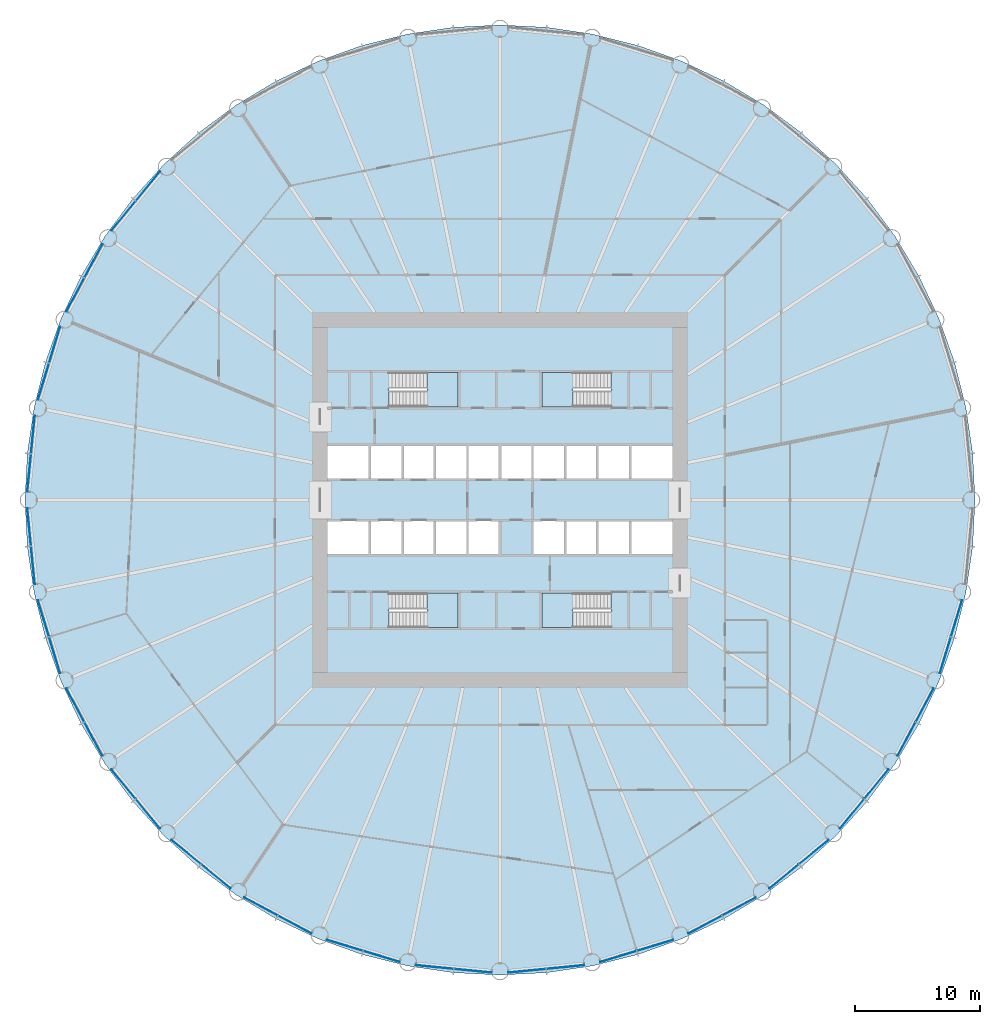
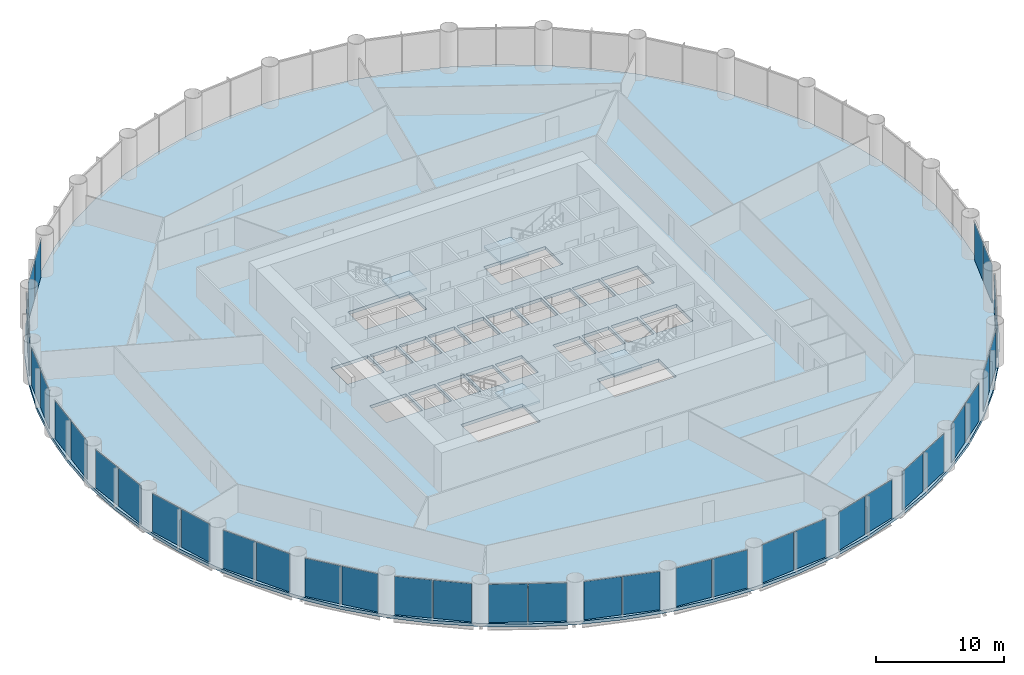
# One storey, part 8 of 15: 38 plates, 5 slabs, 23 elements without a shape of their own.
"""IFC4 building model written with IfcOpenShell, lengths in metres."""

from ifc_helpers import new_model, si_unit, direction, frame, origin, origin_2d, place, context, subcontext, project, spatial, polyline, rectangle, outline, extrude, material, layer, layer_set, type_object, element, aggregate, save


model = new_model("IFC4")

# Units and contexts
model_context = context("Model", 3, precision=1e-05, world=origin(), true_north=direction((0.0, 1.0)))
body_context = subcontext(model_context, "Body", "Model", "MODEL_VIEW")
ifc_project = project(units=[si_unit("LENGTHUNIT", "METRE"), si_unit("AREAUNIT", "SQUARE_METRE"), si_unit("VOLUMEUNIT", "CUBIC_METRE"), si_unit("PLANEANGLEUNIT", "RADIAN"), si_unit("MASSUNIT", "GRAM", prefix="KILO")], contexts=[model_context])

# Site, building, storey
site_placement = place(None, origin())
site = spatial("IfcSite", under=ifc_project, at=site_placement, CompositionType="ELEMENT")
building_placement = place(site_placement, origin())
building = spatial("IfcBuilding", under=site, at=building_placement, Name="Corvane Civic Tower", CompositionType="ELEMENT")
storey_placement = place(building_placement, frame((0.0, 0.0, 73.0)))
storey = spatial("IfcBuildingStorey", under=building, at=storey_placement, Name="L16", CompositionType="ELEMENT", Elevation=73.0)

# Slab
ifc_material_1 = material(Name="Concrete C40/50", Category="concrete")
ifc_layer_1 = layer(ifc_material_1, 0.300048828125)
ifc_layer_set_1 = layer_set([ifc_layer_1], Name="Concrete C40/50")
slab_type_1 = type_object("IfcSlabType", Name="FLOOR SLAB 300", PredefinedType="FLOOR", material=ifc_layer_set_1)
slab_1_placement = place(storey_placement, frame((0.0, 0.0, -0.300048828125)))
element("IfcSlab", 1, at=slab_1_placement, inside=storey, type_object=slab_type_1, Name="SLB-L16", PredefinedType="FLOOR", context=body_context, shape_type="SweptSolid", body=[
    extrude(outline(polyline([(0.0, 38.0), (-3.724609375, 37.817138671875), (-7.413330078125, 37.269775390625), (-11.03076171875, 36.36376953125), (-14.5419921875, 35.107421875), (-17.9130859375, 33.512939453125), (-21.111572265625, 31.595947265625), (-24.10693359375, 29.37451171875), (-26.8701171875, 26.8701171875), (-29.37451171875, 24.10693359375), (-31.595947265625, 21.111572265625), (-33.512939453125, 17.9130859375), (-35.107421875, 14.5419921875), (-36.36376953125, 11.03076171875), (-37.269775390625, 7.413330078125), (-37.817138671875, 3.724609375), (-38.0, 0.0), (-37.817138671875, -3.724609375), (-37.269775390625, -7.413330078125), (-36.36376953125, -11.03076171875), (-35.107421875, -14.5419921875), (-33.512939453125, -17.9130859375), (-31.595947265625, -21.111572265625), (-29.37451171875, -24.10693359375), (-26.8701171875, -26.8701171875), (-24.10693359375, -29.37451171875), (-21.111572265625, -31.595947265625), (-17.9130859375, -33.512939453125), (-14.5419921875, -35.107421875), (-11.03076171875, -36.36376953125), (-7.413330078125, -37.269775390625), (-3.724609375, -37.817138671875), (0.0, -38.0), (3.724609375, -37.817138671875), (7.413330078125, -37.269775390625), (11.03076171875, -36.36376953125), (14.5419921875, -35.107421875), (17.9130859375, -33.512939453125), (21.111572265625, -31.595947265625), (24.10693359375, -29.37451171875), (26.8701171875, -26.8701171875), (29.37451171875, -24.10693359375), (31.595947265625, -21.111572265625), (33.512939453125, -17.9130859375), (35.107421875, -14.5419921875), (36.36376953125, -11.03076171875), (37.269775390625, -7.413330078125), (37.817138671875, -3.724609375), (38.0, 0.0), (37.817138671875, 3.724609375), (37.269775390625, 7.413330078125), (36.36376953125, 11.03076171875), (35.107421875, 14.5419921875), (33.512939453125, 17.9130859375), (31.595947265625, 21.111572265625), (29.37451171875, 24.10693359375), (26.8701171875, 26.8701171875), (24.10693359375, 29.37451171875), (21.111572265625, 31.595947265625), (17.9130859375, 33.512939453125), (14.5419921875, 35.107421875), (11.03076171875, 36.36376953125), (7.413330078125, 37.269775390625), (3.724609375, 37.817138671875), (0.0, 38.0)]), holes=[polyline([(-13.800048828125, 4.300048828125), (-10.5, 4.300048828125), (-10.5, 1.699951171875), (-13.800048828125, 1.699951171875), (-13.800048828125, 4.300048828125)]), polyline([(-7.89990234375, 1.699951171875), (-10.300048828125, 1.699951171875), (-10.300048828125, 4.300048828125), (-7.89990234375, 4.300048828125), (-7.89990234375, 1.699951171875)]), polyline([(-7.699951171875, 4.300048828125), (-5.300048828125, 4.300048828125), (-5.300048828125, 1.699951171875), (-7.699951171875, 1.699951171875), (-7.699951171875, 4.300048828125)]), polyline([(-2.699951171875, 1.699951171875), (-5.10009765625, 1.699951171875), (-5.10009765625, 4.300048828125), (-2.699951171875, 4.300048828125), (-2.699951171875, 1.699951171875)]), polyline([(-2.5, 4.300048828125), (-0.10009765625, 4.300048828125), (-0.10009765625, 1.699951171875), (-2.5, 1.699951171875), (-2.5, 4.300048828125)]), polyline([(0.10009765625, 4.300048828125), (2.5, 4.300048828125), (2.5, 1.699951171875), (0.10009765625, 1.699951171875), (0.10009765625, 4.300048828125)]), polyline([(2.699951171875, 4.300048828125), (5.10009765625, 4.300048828125), (5.10009765625, 1.699951171875), (2.699951171875, 1.699951171875), (2.699951171875, 4.300048828125)]), polyline([(5.300048828125, 4.300048828125), (7.699951171875, 4.300048828125), (7.699951171875, 1.699951171875), (5.300048828125, 1.699951171875), (5.300048828125, 4.300048828125)]), polyline([(7.89990234375, 4.300048828125), (10.300048828125, 4.300048828125), (10.300048828125, 1.699951171875), (7.89990234375, 1.699951171875), (7.89990234375, 4.300048828125)]), polyline([(13.800048828125, 1.699951171875), (10.5, 1.699951171875), (10.5, 4.300048828125), (13.800048828125, 4.300048828125), (13.800048828125, 1.699951171875)]), polyline([(-13.800048828125, -1.699951171875), (-10.5, -1.699951171875), (-10.5, -4.300048828125), (-13.800048828125, -4.300048828125), (-13.800048828125, -1.699951171875)]), polyline([(-10.300048828125, -4.300048828125), (-10.300048828125, -1.699951171875), (-7.89990234375, -1.699951171875), (-7.89990234375, -4.300048828125), (-10.300048828125, -4.300048828125)]), polyline([(-7.699951171875, -1.699951171875), (-5.300048828125, -1.699951171875), (-5.300048828125, -4.300048828125), (-7.699951171875, -4.300048828125), (-7.699951171875, -1.699951171875)]), polyline([(-5.10009765625, -1.699951171875), (-2.699951171875, -1.699951171875), (-2.699951171875, -4.300048828125), (-5.10009765625, -4.300048828125), (-5.10009765625, -1.699951171875)]), polyline([(-2.5, -1.699951171875), (-0.10009765625, -1.699951171875), (-0.10009765625, -4.300048828125), (-2.5, -4.300048828125), (-2.5, -1.699951171875)]), polyline([(2.699951171875, -1.699951171875), (5.10009765625, -1.699951171875), (5.10009765625, -4.300048828125), (2.699951171875, -4.300048828125), (2.699951171875, -1.699951171875)]), polyline([(5.300048828125, -4.300048828125), (5.300048828125, -1.699951171875), (7.699951171875, -1.699951171875), (7.699951171875, -4.300048828125), (5.300048828125, -4.300048828125)]), polyline([(7.89990234375, -4.300048828125), (7.89990234375, -1.699951171875), (10.300048828125, -1.699951171875), (10.300048828125, -4.300048828125), (7.89990234375, -4.300048828125)]), polyline([(13.800048828125, -4.300048828125), (10.5, -4.300048828125), (10.5, -1.699951171875), (13.800048828125, -1.699951171875), (13.800048828125, -4.300048828125)]), polyline([(8.889892578125, 10.199951171875), (8.889892578125, 7.449951171875), (3.35009765625, 7.449951171875), (3.35009765625, 10.199951171875), (8.889892578125, 10.199951171875)]), polyline([(-8.889892578125, 7.449951171875), (-8.889892578125, 10.199951171875), (-3.35009765625, 10.199951171875), (-3.35009765625, 7.449951171875), (-8.889892578125, 7.449951171875)]), polyline([(8.889892578125, -7.449951171875), (8.889892578125, -10.199951171875), (3.35009765625, -10.199951171875), (3.35009765625, -7.449951171875), (8.889892578125, -7.449951171875)]), polyline([(-8.889892578125, -10.199951171875), (-8.889892578125, -7.449951171875), (-3.35009765625, -7.449951171875), (-3.35009765625, -10.199951171875), (-8.889892578125, -10.199951171875)])]), origin(), (0.0, 0.0, 1.0), 0.300048828125),
])

# Stair, slab
ifc_material_2 = material(Name="Concrete C40/50", Category="concrete")
stair_type = type_object("IfcStairType", Name="ST-STAIR-HALFTURN", PredefinedType="HALF_TURN_STAIR", material=ifc_material_2)
stair_1_placement = place(storey_placement, origin())
stair_1 = element("IfcStair", 2, at=stair_1_placement, inside=storey, type_object=stair_type, Name="L16 Exit stair ST1", PredefinedType="HALF_TURN_STAIR")
ifc_material_3 = material(Name="Concrete C40/50", Category="concrete")
ifc_layer_2 = layer(ifc_material_3, 0.199951171875)
ifc_layer_set_2 = layer_set([ifc_layer_2], Name="Concrete C40/50")
slab_type_2 = type_object("IfcSlabType", Name="ST-LANDING-RC", PredefinedType="LANDING", material=ifc_layer_set_2)
slab_2_placement = place(storey_placement, frame((0.0, 0.0, 1.800048828125)))
slab_2 = element("IfcSlab", 3, at=slab_2_placement, type_object=slab_type_2, Name="ST1 landing 1", PredefinedType="LANDING", context=body_context, shape_type="SweptSolid", body=[
    extrude(outline(polyline([(5.820068359375, 10.199951171875), (3.35009765625, 10.199951171875), (3.35009765625, 7.449951171875), (5.820068359375, 7.449951171875), (5.820068359375, 10.199951171875)])), origin(), (0.0, 0.0, 1.0), 0.199951171875),
])
aggregate(stair_1, [slab_2])

stair_2_placement = place(storey_placement, origin())
stair_2 = element("IfcStair", 4, at=stair_2_placement, inside=storey, type_object=stair_type, Name="L16 Exit stair ST2", PredefinedType="HALF_TURN_STAIR")
slab_3_placement = place(storey_placement, frame((0.0, 0.0, 1.800048828125)))
slab_3 = element("IfcSlab", 5, at=slab_3_placement, type_object=slab_type_2, Name="ST2 landing 1", PredefinedType="LANDING", context=body_context, shape_type="SweptSolid", body=[
    extrude(outline(polyline([(5.820068359375, -7.449951171875), (3.35009765625, -7.449951171875), (3.35009765625, -10.199951171875), (5.820068359375, -10.199951171875), (5.820068359375, -7.449951171875)])), origin(), (0.0, 0.0, 1.0), 0.199951171875),
])
aggregate(stair_2, [slab_3])

stair_3_placement = place(storey_placement, origin())
stair_3 = element("IfcStair", 6, at=stair_3_placement, inside=storey, type_object=stair_type, Name="L16 Exit stair ST3", PredefinedType="HALF_TURN_STAIR")
slab_4_placement = place(storey_placement, frame((0.0, 0.0, 1.800048828125)))
slab_4 = element("IfcSlab", 7, at=slab_4_placement, type_object=slab_type_2, Name="ST3 landing 1", PredefinedType="LANDING", context=body_context, shape_type="SweptSolid", body=[
    extrude(outline(polyline([(-5.820068359375, -10.199951171875), (-3.35009765625, -10.199951171875), (-3.35009765625, -7.449951171875), (-5.820068359375, -7.449951171875), (-5.820068359375, -10.199951171875)])), origin(), (0.0, 0.0, 1.0), 0.199951171875),
])
aggregate(stair_3, [slab_4])

stair_4_placement = place(storey_placement, origin())
stair_4 = element("IfcStair", 8, at=stair_4_placement, inside=storey, type_object=stair_type, Name="L16 Exit stair ST4", PredefinedType="HALF_TURN_STAIR")
slab_5_placement = place(storey_placement, frame((0.0, 0.0, 1.800048828125)))
slab_5 = element("IfcSlab", 9, at=slab_5_placement, type_object=slab_type_2, Name="ST4 landing 1", PredefinedType="LANDING", context=body_context, shape_type="SweptSolid", body=[
    extrude(outline(polyline([(-5.820068359375, 7.449951171875), (-3.35009765625, 7.449951171875), (-3.35009765625, 10.199951171875), (-5.820068359375, 10.199951171875), (-5.820068359375, 7.449951171875)])), origin(), (0.0, 0.0, 1.0), 0.199951171875),
])
aggregate(stair_4, [slab_5])

# Curtain wall, plates
ifc_material_4 = material(Name="Anodised aluminium bronze", Category="aluminium")
curtain_wall_type = type_object("IfcCurtainWallType", Name="TOWER CW-T1 STICK CURTAIN WALL", PredefinedType="NOTDEFINED", material=ifc_material_4)
curtain_wall_1_placement = place(storey_placement, origin())
curtain_wall_1 = element("IfcCurtainWall", 10, at=curtain_wall_1_placement, inside=storey, type_object=curtain_wall_type, Name="Curtain wall CW-T1 L16 bay 10", PredefinedType="NOTDEFINED")
ifc_material_5 = material(Name="Tinted glass", Category="glass")
ifc_layer_3 = layer(ifc_material_5, 0.035888671875)
ifc_layer_set_3 = layer_set([ifc_layer_3], Name="Tinted glass")
plate_type = type_object("IfcPlateType", Name="TOWER CW-T1 PANEL IGU36", PredefinedType="CURTAIN_PANEL", material=ifc_layer_set_3)
plate_1_placement = place(storey_placement, frame((36.522705078125, -9.46533203125, 0.0), z_axis=(0.0, 0.0, 1.0), x_axis=(-0.290278397654, -0.956942240606, 0.0)))
plate_1 = element("IfcPlate", 11, at=plate_1_placement, type_object=plate_type, Name="Glass panel CW-T1 L16 10.1", PredefinedType="CURTAIN_PANEL", context=body_context, shape_type="SweptSolid", body=[
    extrude(rectangle(XDim=3.008544921875, YDim=0.035888671875, at=origin_2d()), origin(), (0.0, 0.0, 1.0), 3.6298828125),
])
plate_2_placement = place(storey_placement, frame((35.6259765625, -12.4208984375, 0.0), z_axis=(0.0, 0.0, 1.0), x_axis=(-0.290278397654, -0.956942240606, 0.0)))
plate_2 = element("IfcPlate", 12, at=plate_2_placement, type_object=plate_type, Name="Glass panel CW-T1 L16 10.2", PredefinedType="CURTAIN_PANEL", context=body_context, shape_type="SweptSolid", body=[
    extrude(rectangle(XDim=3.008544921875, YDim=0.035888671875, at=origin_2d()), origin(), (0.0, 0.0, 1.0), 3.6298828125),
])
aggregate(curtain_wall_1, [plate_1, plate_2])

curtain_wall_2_placement = place(storey_placement, origin())
curtain_wall_2 = element("IfcCurtainWall", 13, at=curtain_wall_2_placement, inside=storey, type_object=curtain_wall_type, Name="Curtain wall CW-T1 L16 bay 11", PredefinedType="NOTDEFINED")
plate_3_placement = place(storey_placement, frame((33.974365234375, -16.40869140625, 0.0), z_axis=(0.0, 0.0, 1.0), x_axis=(-0.471403725359, -0.881917528864, 0.0)))
plate_3 = element("IfcPlate", 14, at=plate_3_placement, type_object=plate_type, Name="Glass panel CW-T1 L16 11.1", PredefinedType="CURTAIN_PANEL", context=body_context, shape_type="SweptSolid", body=[
    extrude(rectangle(XDim=3.008544921875, YDim=0.035888671875, at=origin_2d()), origin(), (0.0, 0.0, 1.0), 3.6298828125),
])
plate_4_placement = place(storey_placement, frame((32.518310546875, -19.132568359375, 0.0), z_axis=(0.0, 0.0, 1.0), x_axis=(-0.471403725359, -0.881917528864, 0.0)))
plate_4 = element("IfcPlate", 15, at=plate_4_placement, type_object=plate_type, Name="Glass panel CW-T1 L16 11.2", PredefinedType="CURTAIN_PANEL", context=body_context, shape_type="SweptSolid", body=[
    extrude(rectangle(XDim=3.008544921875, YDim=0.035888671875, at=origin_2d()), origin(), (0.0, 0.0, 1.0), 3.6298828125),
])
aggregate(curtain_wall_2, [plate_3, plate_4])

curtain_wall_3_placement = place(storey_placement, origin())
curtain_wall_3 = element("IfcCurtainWall", 16, at=curtain_wall_3_placement, inside=storey, type_object=curtain_wall_type, Name="Curtain wall CW-T1 L16 bay 12", PredefinedType="NOTDEFINED")
plate_5_placement = place(storey_placement, frame((30.120361328125, -22.721435546875, 0.0), z_axis=(0.0, 0.0, 1.0), x_axis=(-0.634397218569, -0.773007224463, 0.0)))
plate_5 = element("IfcPlate", 17, at=plate_5_placement, type_object=plate_type, Name="Glass panel CW-T1 L16 12.1", PredefinedType="CURTAIN_PANEL", context=body_context, shape_type="SweptSolid", body=[
    extrude(rectangle(XDim=3.008544921875, YDim=0.035888671875, at=origin_2d()), origin(), (0.0, 0.0, 1.0), 3.6298828125),
])
plate_6_placement = place(storey_placement, frame((28.160888671875, -25.10888671875, 0.0), z_axis=(0.0, 0.0, 1.0), x_axis=(-0.634397218569, -0.773007224463, 0.0)))
plate_6 = element("IfcPlate", 18, at=plate_6_placement, type_object=plate_type, Name="Glass panel CW-T1 L16 12.2", PredefinedType="CURTAIN_PANEL", context=body_context, shape_type="SweptSolid", body=[
    extrude(rectangle(XDim=3.008544921875, YDim=0.035888671875, at=origin_2d()), origin(), (0.0, 0.0, 1.0), 3.6298828125),
])
aggregate(curtain_wall_3, [plate_5, plate_6])

curtain_wall_4_placement = place(storey_placement, origin())
curtain_wall_4 = element("IfcCurtainWall", 19, at=curtain_wall_4_placement, inside=storey, type_object=curtain_wall_type, Name="Curtain wall CW-T1 L16 bay 13", PredefinedType="NOTDEFINED")
plate_7_placement = place(storey_placement, frame((25.10888671875, -28.160888671875, 0.0), z_axis=(0.0, 0.0, 1.0), x_axis=(-0.773007224463, -0.634397218569, 0.0)))
plate_7 = element("IfcPlate", 20, at=plate_7_placement, type_object=plate_type, Name="Glass panel CW-T1 L16 13.1", PredefinedType="CURTAIN_PANEL", context=body_context, shape_type="SweptSolid", body=[
    extrude(rectangle(XDim=3.008544921875, YDim=0.035888671875, at=origin_2d()), origin(), (0.0, 0.0, 1.0), 3.6298828125),
])
plate_8_placement = place(storey_placement, frame((22.721435546875, -30.120361328125, 0.0), z_axis=(0.0, 0.0, 1.0), x_axis=(-0.773007224463, -0.634397218569, 0.0)))
plate_8 = element("IfcPlate", 21, at=plate_8_placement, type_object=plate_type, Name="Glass panel CW-T1 L16 13.2", PredefinedType="CURTAIN_PANEL", context=body_context, shape_type="SweptSolid", body=[
    extrude(rectangle(XDim=3.008544921875, YDim=0.035888671875, at=origin_2d()), origin(), (0.0, 0.0, 1.0), 3.6298828125),
])
aggregate(curtain_wall_4, [plate_7, plate_8])

curtain_wall_5_placement = place(storey_placement, origin())
curtain_wall_5 = element("IfcCurtainWall", 22, at=curtain_wall_5_placement, inside=storey, type_object=curtain_wall_type, Name="Curtain wall CW-T1 L16 bay 14", PredefinedType="NOTDEFINED")
plate_9_placement = place(storey_placement, frame((19.132568359375, -32.518310546875, 0.0), z_axis=(0.0, 0.0, 1.0), x_axis=(-0.881917528864, -0.471403725359, 0.0)))
plate_9 = element("IfcPlate", 23, at=plate_9_placement, type_object=plate_type, Name="Glass panel CW-T1 L16 14.1", PredefinedType="CURTAIN_PANEL", context=body_context, shape_type="SweptSolid", body=[
    extrude(rectangle(XDim=3.008544921875, YDim=0.035888671875, at=origin_2d()), origin(), (0.0, 0.0, 1.0), 3.6298828125),
])
plate_10_placement = place(storey_placement, frame((16.40869140625, -33.974365234375, 0.0), z_axis=(0.0, 0.0, 1.0), x_axis=(-0.881917528864, -0.471403725359, 0.0)))
plate_10 = element("IfcPlate", 24, at=plate_10_placement, type_object=plate_type, Name="Glass panel CW-T1 L16 14.2", PredefinedType="CURTAIN_PANEL", context=body_context, shape_type="SweptSolid", body=[
    extrude(rectangle(XDim=3.008544921875, YDim=0.035888671875, at=origin_2d()), origin(), (0.0, 0.0, 1.0), 3.6298828125),
])
aggregate(curtain_wall_5, [plate_9, plate_10])

curtain_wall_6_placement = place(storey_placement, origin())
curtain_wall_6 = element("IfcCurtainWall", 25, at=curtain_wall_6_placement, inside=storey, type_object=curtain_wall_type, Name="Curtain wall CW-T1 L16 bay 15", PredefinedType="NOTDEFINED")
plate_11_placement = place(storey_placement, frame((12.4208984375, -35.6259765625, 0.0), z_axis=(0.0, 0.0, 1.0), x_axis=(-0.956942240606, -0.290278397654, 0.0)))
plate_11 = element("IfcPlate", 26, at=plate_11_placement, type_object=plate_type, Name="Glass panel CW-T1 L16 15.1", PredefinedType="CURTAIN_PANEL", context=body_context, shape_type="SweptSolid", body=[
    extrude(rectangle(XDim=3.008544921875, YDim=0.035888671875, at=origin_2d()), origin(), (0.0, 0.0, 1.0), 3.6298828125),
])
plate_12_placement = place(storey_placement, frame((9.46533203125, -36.522705078125, 0.0), z_axis=(0.0, 0.0, 1.0), x_axis=(-0.956942240606, -0.290278397654, 0.0)))
plate_12 = element("IfcPlate", 27, at=plate_12_placement, type_object=plate_type, Name="Glass panel CW-T1 L16 15.2", PredefinedType="CURTAIN_PANEL", context=body_context, shape_type="SweptSolid", body=[
    extrude(rectangle(XDim=3.008544921875, YDim=0.035888671875, at=origin_2d()), origin(), (0.0, 0.0, 1.0), 3.6298828125),
])
aggregate(curtain_wall_6, [plate_11, plate_12])

curtain_wall_7_placement = place(storey_placement, origin())
curtain_wall_7 = element("IfcCurtainWall", 28, at=curtain_wall_7_placement, inside=storey, type_object=curtain_wall_type, Name="Curtain wall CW-T1 L16 bay 16", PredefinedType="NOTDEFINED")
plate_13_placement = place(storey_placement, frame((5.23193359375, -37.36474609375, 0.0), z_axis=(0.0, 0.0, 1.0), x_axis=(-0.995185800248, -0.098006239521, 0.0)))
plate_13 = element("IfcPlate", 29, at=plate_13_placement, type_object=plate_type, Name="Glass panel CW-T1 L16 16.1", PredefinedType="CURTAIN_PANEL", context=body_context, shape_type="SweptSolid", body=[
    extrude(rectangle(XDim=3.008544921875, YDim=0.035888671875, at=origin_2d()), origin(), (0.0, 0.0, 1.0), 3.6298828125),
])
plate_14_placement = place(storey_placement, frame((2.158203125, -37.667236328125, 0.0), z_axis=(0.0, 0.0, 1.0), x_axis=(-0.995185800248, -0.098006239521, 0.0)))
plate_14 = element("IfcPlate", 30, at=plate_14_placement, type_object=plate_type, Name="Glass panel CW-T1 L16 16.2", PredefinedType="CURTAIN_PANEL", context=body_context, shape_type="SweptSolid", body=[
    extrude(rectangle(XDim=3.008544921875, YDim=0.035888671875, at=origin_2d()), origin(), (0.0, 0.0, 1.0), 3.6298828125),
])
aggregate(curtain_wall_7, [plate_13, plate_14])

curtain_wall_8_placement = place(storey_placement, origin())
curtain_wall_8 = element("IfcCurtainWall", 31, at=curtain_wall_8_placement, inside=storey, type_object=curtain_wall_type, Name="Curtain wall CW-T1 L16 bay 17", PredefinedType="NOTDEFINED")
plate_15_placement = place(storey_placement, frame((-2.158203125, -37.667236328125, 0.0), z_axis=(0.0, 0.0, 1.0), x_axis=(-0.995185800248, 0.098006239521, 0.0)))
plate_15 = element("IfcPlate", 32, at=plate_15_placement, type_object=plate_type, Name="Glass panel CW-T1 L16 17.1", PredefinedType="CURTAIN_PANEL", context=body_context, shape_type="SweptSolid", body=[
    extrude(rectangle(XDim=3.008544921875, YDim=0.035888671875, at=origin_2d()), origin(), (0.0, 0.0, 1.0), 3.6298828125),
])
plate_16_placement = place(storey_placement, frame((-5.23193359375, -37.36474609375, 0.0), z_axis=(0.0, 0.0, 1.0), x_axis=(-0.995185800248, 0.098006239521, 0.0)))
plate_16 = element("IfcPlate", 33, at=plate_16_placement, type_object=plate_type, Name="Glass panel CW-T1 L16 17.2", PredefinedType="CURTAIN_PANEL", context=body_context, shape_type="SweptSolid", body=[
    extrude(rectangle(XDim=3.008544921875, YDim=0.035888671875, at=origin_2d()), origin(), (0.0, 0.0, 1.0), 3.6298828125),
])
aggregate(curtain_wall_8, [plate_15, plate_16])

curtain_wall_9_placement = place(storey_placement, origin())
curtain_wall_9 = element("IfcCurtainWall", 34, at=curtain_wall_9_placement, inside=storey, type_object=curtain_wall_type, Name="Curtain wall CW-T1 L16 bay 18", PredefinedType="NOTDEFINED")
plate_17_placement = place(storey_placement, frame((-9.46533203125, -36.522705078125, 0.0), z_axis=(0.0, 0.0, 1.0), x_axis=(-0.956942240606, 0.290278397654, 0.0)))
plate_17 = element("IfcPlate", 35, at=plate_17_placement, type_object=plate_type, Name="Glass panel CW-T1 L16 18.1", PredefinedType="CURTAIN_PANEL", context=body_context, shape_type="SweptSolid", body=[
    extrude(rectangle(XDim=3.008544921875, YDim=0.035888671875, at=origin_2d()), origin(), (0.0, 0.0, 1.0), 3.6298828125),
])
plate_18_placement = place(storey_placement, frame((-12.4208984375, -35.6259765625, 0.0), z_axis=(0.0, 0.0, 1.0), x_axis=(-0.956942240606, 0.290278397654, 0.0)))
plate_18 = element("IfcPlate", 36, at=plate_18_placement, type_object=plate_type, Name="Glass panel CW-T1 L16 18.2", PredefinedType="CURTAIN_PANEL", context=body_context, shape_type="SweptSolid", body=[
    extrude(rectangle(XDim=3.008544921875, YDim=0.035888671875, at=origin_2d()), origin(), (0.0, 0.0, 1.0), 3.6298828125),
])
aggregate(curtain_wall_9, [plate_17, plate_18])

curtain_wall_10_placement = place(storey_placement, origin())
curtain_wall_10 = element("IfcCurtainWall", 37, at=curtain_wall_10_placement, inside=storey, type_object=curtain_wall_type, Name="Curtain wall CW-T1 L16 bay 19", PredefinedType="NOTDEFINED")
plate_19_placement = place(storey_placement, frame((-16.40869140625, -33.974365234375, 0.0), z_axis=(0.0, 0.0, 1.0), x_axis=(-0.881917528864, 0.471403725359, 0.0)))
plate_19 = element("IfcPlate", 38, at=plate_19_placement, type_object=plate_type, Name="Glass panel CW-T1 L16 19.1", PredefinedType="CURTAIN_PANEL", context=body_context, shape_type="SweptSolid", body=[
    extrude(rectangle(XDim=3.008544921875, YDim=0.035888671875, at=origin_2d()), origin(), (0.0, 0.0, 1.0), 3.6298828125),
])
plate_20_placement = place(storey_placement, frame((-19.132568359375, -32.518310546875, 0.0), z_axis=(0.0, 0.0, 1.0), x_axis=(-0.881917528864, 0.471403725359, 0.0)))
plate_20 = element("IfcPlate", 39, at=plate_20_placement, type_object=plate_type, Name="Glass panel CW-T1 L16 19.2", PredefinedType="CURTAIN_PANEL", context=body_context, shape_type="SweptSolid", body=[
    extrude(rectangle(XDim=3.008544921875, YDim=0.035888671875, at=origin_2d()), origin(), (0.0, 0.0, 1.0), 3.6298828125),
])
aggregate(curtain_wall_10, [plate_19, plate_20])

curtain_wall_11_placement = place(storey_placement, origin())
curtain_wall_11 = element("IfcCurtainWall", 40, at=curtain_wall_11_placement, inside=storey, type_object=curtain_wall_type, Name="Curtain wall CW-T1 L16 bay 20", PredefinedType="NOTDEFINED")
plate_21_placement = place(storey_placement, frame((-22.721435546875, -30.120361328125, 0.0), z_axis=(0.0, 0.0, 1.0), x_axis=(-0.773007224463, 0.634397218569, 0.0)))
plate_21 = element("IfcPlate", 41, at=plate_21_placement, type_object=plate_type, Name="Glass panel CW-T1 L16 20.1", PredefinedType="CURTAIN_PANEL", context=body_context, shape_type="SweptSolid", body=[
    extrude(rectangle(XDim=3.008544921875, YDim=0.035888671875, at=origin_2d()), origin(), (0.0, 0.0, 1.0), 3.6298828125),
])
plate_22_placement = place(storey_placement, frame((-25.10888671875, -28.160888671875, 0.0), z_axis=(0.0, 0.0, 1.0), x_axis=(-0.773007224463, 0.634397218569, 0.0)))
plate_22 = element("IfcPlate", 42, at=plate_22_placement, type_object=plate_type, Name="Glass panel CW-T1 L16 20.2", PredefinedType="CURTAIN_PANEL", context=body_context, shape_type="SweptSolid", body=[
    extrude(rectangle(XDim=3.008544921875, YDim=0.035888671875, at=origin_2d()), origin(), (0.0, 0.0, 1.0), 3.6298828125),
])
aggregate(curtain_wall_11, [plate_21, plate_22])

curtain_wall_12_placement = place(storey_placement, origin())
curtain_wall_12 = element("IfcCurtainWall", 43, at=curtain_wall_12_placement, inside=storey, type_object=curtain_wall_type, Name="Curtain wall CW-T1 L16 bay 21", PredefinedType="NOTDEFINED")
plate_23_placement = place(storey_placement, frame((-28.160888671875, -25.10888671875, 0.0), z_axis=(0.0, 0.0, 1.0), x_axis=(-0.634397218569, 0.773007224463, 0.0)))
plate_23 = element("IfcPlate", 44, at=plate_23_placement, type_object=plate_type, Name="Glass panel CW-T1 L16 21.1", PredefinedType="CURTAIN_PANEL", context=body_context, shape_type="SweptSolid", body=[
    extrude(rectangle(XDim=3.008544921875, YDim=0.035888671875, at=origin_2d()), origin(), (0.0, 0.0, 1.0), 3.6298828125),
])
plate_24_placement = place(storey_placement, frame((-30.120361328125, -22.721435546875, 0.0), z_axis=(0.0, 0.0, 1.0), x_axis=(-0.634397218569, 0.773007224463, 0.0)))
plate_24 = element("IfcPlate", 45, at=plate_24_placement, type_object=plate_type, Name="Glass panel CW-T1 L16 21.2", PredefinedType="CURTAIN_PANEL", context=body_context, shape_type="SweptSolid", body=[
    extrude(rectangle(XDim=3.008544921875, YDim=0.035888671875, at=origin_2d()), origin(), (0.0, 0.0, 1.0), 3.6298828125),
])
aggregate(curtain_wall_12, [plate_23, plate_24])

curtain_wall_13_placement = place(storey_placement, origin())
curtain_wall_13 = element("IfcCurtainWall", 46, at=curtain_wall_13_placement, inside=storey, type_object=curtain_wall_type, Name="Curtain wall CW-T1 L16 bay 22", PredefinedType="NOTDEFINED")
plate_25_placement = place(storey_placement, frame((-32.518310546875, -19.132568359375, 0.0), z_axis=(0.0, 0.0, 1.0), x_axis=(-0.471403725359, 0.881917528864, 0.0)))
plate_25 = element("IfcPlate", 47, at=plate_25_placement, type_object=plate_type, Name="Glass panel CW-T1 L16 22.1", PredefinedType="CURTAIN_PANEL", context=body_context, shape_type="SweptSolid", body=[
    extrude(rectangle(XDim=3.008544921875, YDim=0.035888671875, at=origin_2d()), origin(), (0.0, 0.0, 1.0), 3.6298828125),
])
plate_26_placement = place(storey_placement, frame((-33.974365234375, -16.40869140625, 0.0), z_axis=(0.0, 0.0, 1.0), x_axis=(-0.471403725359, 0.881917528864, 0.0)))
plate_26 = element("IfcPlate", 48, at=plate_26_placement, type_object=plate_type, Name="Glass panel CW-T1 L16 22.2", PredefinedType="CURTAIN_PANEL", context=body_context, shape_type="SweptSolid", body=[
    extrude(rectangle(XDim=3.008544921875, YDim=0.035888671875, at=origin_2d()), origin(), (0.0, 0.0, 1.0), 3.6298828125),
])
aggregate(curtain_wall_13, [plate_25, plate_26])

curtain_wall_14_placement = place(storey_placement, origin())
curtain_wall_14 = element("IfcCurtainWall", 49, at=curtain_wall_14_placement, inside=storey, type_object=curtain_wall_type, Name="Curtain wall CW-T1 L16 bay 23", PredefinedType="NOTDEFINED")
plate_27_placement = place(storey_placement, frame((-35.6259765625, -12.4208984375, 0.0), z_axis=(0.0, 0.0, 1.0), x_axis=(-0.290278397654, 0.956942240606, 0.0)))
plate_27 = element("IfcPlate", 50, at=plate_27_placement, type_object=plate_type, Name="Glass panel CW-T1 L16 23.1", PredefinedType="CURTAIN_PANEL", context=body_context, shape_type="SweptSolid", body=[
    extrude(rectangle(XDim=3.008544921875, YDim=0.035888671875, at=origin_2d()), origin(), (0.0, 0.0, 1.0), 3.6298828125),
])
plate_28_placement = place(storey_placement, frame((-36.522705078125, -9.46533203125, 0.0), z_axis=(0.0, 0.0, 1.0), x_axis=(-0.290278397654, 0.956942240606, 0.0)))
plate_28 = element("IfcPlate", 51, at=plate_28_placement, type_object=plate_type, Name="Glass panel CW-T1 L16 23.2", PredefinedType="CURTAIN_PANEL", context=body_context, shape_type="SweptSolid", body=[
    extrude(rectangle(XDim=3.008544921875, YDim=0.035888671875, at=origin_2d()), origin(), (0.0, 0.0, 1.0), 3.6298828125),
])
aggregate(curtain_wall_14, [plate_27, plate_28])

curtain_wall_15_placement = place(storey_placement, origin())
curtain_wall_15 = element("IfcCurtainWall", 52, at=curtain_wall_15_placement, inside=storey, type_object=curtain_wall_type, Name="Curtain wall CW-T1 L16 bay 24", PredefinedType="NOTDEFINED")
plate_29_placement = place(storey_placement, frame((-37.36474609375, -5.23193359375, 0.0), z_axis=(0.0, 0.0, 1.0), x_axis=(-0.098006239521, 0.995185800248, 0.0)))
plate_29 = element("IfcPlate", 53, at=plate_29_placement, type_object=plate_type, Name="Glass panel CW-T1 L16 24.1", PredefinedType="CURTAIN_PANEL", context=body_context, shape_type="SweptSolid", body=[
    extrude(rectangle(XDim=3.008544921875, YDim=0.035888671875, at=origin_2d()), origin(), (0.0, 0.0, 1.0), 3.6298828125),
])
plate_30_placement = place(storey_placement, frame((-37.667236328125, -2.158203125, 0.0), z_axis=(0.0, 0.0, 1.0), x_axis=(-0.098006239521, 0.995185800248, 0.0)))
plate_30 = element("IfcPlate", 54, at=plate_30_placement, type_object=plate_type, Name="Glass panel CW-T1 L16 24.2", PredefinedType="CURTAIN_PANEL", context=body_context, shape_type="SweptSolid", body=[
    extrude(rectangle(XDim=3.008544921875, YDim=0.035888671875, at=origin_2d()), origin(), (0.0, 0.0, 1.0), 3.6298828125),
])
aggregate(curtain_wall_15, [plate_29, plate_30])

curtain_wall_16_placement = place(storey_placement, origin())
curtain_wall_16 = element("IfcCurtainWall", 55, at=curtain_wall_16_placement, inside=storey, type_object=curtain_wall_type, Name="Curtain wall CW-T1 L16 bay 25", PredefinedType="NOTDEFINED")
plate_31_placement = place(storey_placement, frame((-37.667236328125, 2.158203125, 0.0), z_axis=(0.0, 0.0, 1.0), x_axis=(0.098006239521, 0.995185800248, 0.0)))
plate_31 = element("IfcPlate", 56, at=plate_31_placement, type_object=plate_type, Name="Glass panel CW-T1 L16 25.1", PredefinedType="CURTAIN_PANEL", context=body_context, shape_type="SweptSolid", body=[
    extrude(rectangle(XDim=3.008544921875, YDim=0.035888671875, at=origin_2d()), origin(), (0.0, 0.0, 1.0), 3.6298828125),
])
plate_32_placement = place(storey_placement, frame((-37.36474609375, 5.23193359375, 0.0), z_axis=(0.0, 0.0, 1.0), x_axis=(0.098006239521, 0.995185800248, 0.0)))
plate_32 = element("IfcPlate", 57, at=plate_32_placement, type_object=plate_type, Name="Glass panel CW-T1 L16 25.2", PredefinedType="CURTAIN_PANEL", context=body_context, shape_type="SweptSolid", body=[
    extrude(rectangle(XDim=3.008544921875, YDim=0.035888671875, at=origin_2d()), origin(), (0.0, 0.0, 1.0), 3.6298828125),
])
aggregate(curtain_wall_16, [plate_31, plate_32])

curtain_wall_17_placement = place(storey_placement, origin())
curtain_wall_17 = element("IfcCurtainWall", 58, at=curtain_wall_17_placement, inside=storey, type_object=curtain_wall_type, Name="Curtain wall CW-T1 L16 bay 26", PredefinedType="NOTDEFINED")
plate_33_placement = place(storey_placement, frame((-36.522705078125, 9.46533203125, 0.0), z_axis=(0.0, 0.0, 1.0), x_axis=(0.290278397654, 0.956942240606, 0.0)))
plate_33 = element("IfcPlate", 59, at=plate_33_placement, type_object=plate_type, Name="Glass panel CW-T1 L16 26.1", PredefinedType="CURTAIN_PANEL", context=body_context, shape_type="SweptSolid", body=[
    extrude(rectangle(XDim=3.008544921875, YDim=0.035888671875, at=origin_2d()), origin(), (0.0, 0.0, 1.0), 3.6298828125),
])
plate_34_placement = place(storey_placement, frame((-35.6259765625, 12.4208984375, 0.0), z_axis=(0.0, 0.0, 1.0), x_axis=(0.290278397654, 0.956942240606, 0.0)))
plate_34 = element("IfcPlate", 60, at=plate_34_placement, type_object=plate_type, Name="Glass panel CW-T1 L16 26.2", PredefinedType="CURTAIN_PANEL", context=body_context, shape_type="SweptSolid", body=[
    extrude(rectangle(XDim=3.008544921875, YDim=0.035888671875, at=origin_2d()), origin(), (0.0, 0.0, 1.0), 3.6298828125),
])
aggregate(curtain_wall_17, [plate_33, plate_34])

curtain_wall_18_placement = place(storey_placement, origin())
curtain_wall_18 = element("IfcCurtainWall", 61, at=curtain_wall_18_placement, inside=storey, type_object=curtain_wall_type, Name="Curtain wall CW-T1 L16 bay 27", PredefinedType="NOTDEFINED")
plate_35_placement = place(storey_placement, frame((-33.974365234375, 16.40869140625, 0.0), z_axis=(0.0, 0.0, 1.0), x_axis=(0.471403725359, 0.881917528864, 0.0)))
plate_35 = element("IfcPlate", 62, at=plate_35_placement, type_object=plate_type, Name="Glass panel CW-T1 L16 27.1", PredefinedType="CURTAIN_PANEL", context=body_context, shape_type="SweptSolid", body=[
    extrude(rectangle(XDim=3.008544921875, YDim=0.035888671875, at=origin_2d()), origin(), (0.0, 0.0, 1.0), 3.6298828125),
])
plate_36_placement = place(storey_placement, frame((-32.518310546875, 19.132568359375, 0.0), z_axis=(0.0, 0.0, 1.0), x_axis=(0.471403725359, 0.881917528864, 0.0)))
plate_36 = element("IfcPlate", 63, at=plate_36_placement, type_object=plate_type, Name="Glass panel CW-T1 L16 27.2", PredefinedType="CURTAIN_PANEL", context=body_context, shape_type="SweptSolid", body=[
    extrude(rectangle(XDim=3.008544921875, YDim=0.035888671875, at=origin_2d()), origin(), (0.0, 0.0, 1.0), 3.6298828125),
])
aggregate(curtain_wall_18, [plate_35, plate_36])

curtain_wall_19_placement = place(storey_placement, origin())
curtain_wall_19 = element("IfcCurtainWall", 64, at=curtain_wall_19_placement, inside=storey, type_object=curtain_wall_type, Name="Curtain wall CW-T1 L16 bay 28", PredefinedType="NOTDEFINED")
plate_37_placement = place(storey_placement, frame((-30.120361328125, 22.721435546875, 0.0), z_axis=(0.0, 0.0, 1.0), x_axis=(0.634397218569, 0.773007224463, 0.0)))
plate_37 = element("IfcPlate", 65, at=plate_37_placement, type_object=plate_type, Name="Glass panel CW-T1 L16 28.1", PredefinedType="CURTAIN_PANEL", context=body_context, shape_type="SweptSolid", body=[
    extrude(rectangle(XDim=3.008544921875, YDim=0.035888671875, at=origin_2d()), origin(), (0.0, 0.0, 1.0), 3.6298828125),
])
plate_38_placement = place(storey_placement, frame((-28.160888671875, 25.10888671875, 0.0), z_axis=(0.0, 0.0, 1.0), x_axis=(0.634397218569, 0.773007224463, 0.0)))
plate_38 = element("IfcPlate", 66, at=plate_38_placement, type_object=plate_type, Name="Glass panel CW-T1 L16 28.2", PredefinedType="CURTAIN_PANEL", context=body_context, shape_type="SweptSolid", body=[
    extrude(rectangle(XDim=3.008544921875, YDim=0.035888671875, at=origin_2d()), origin(), (0.0, 0.0, 1.0), 3.6298828125),
])
aggregate(curtain_wall_19, [plate_37, plate_38])

save(model, "model.ifc")
